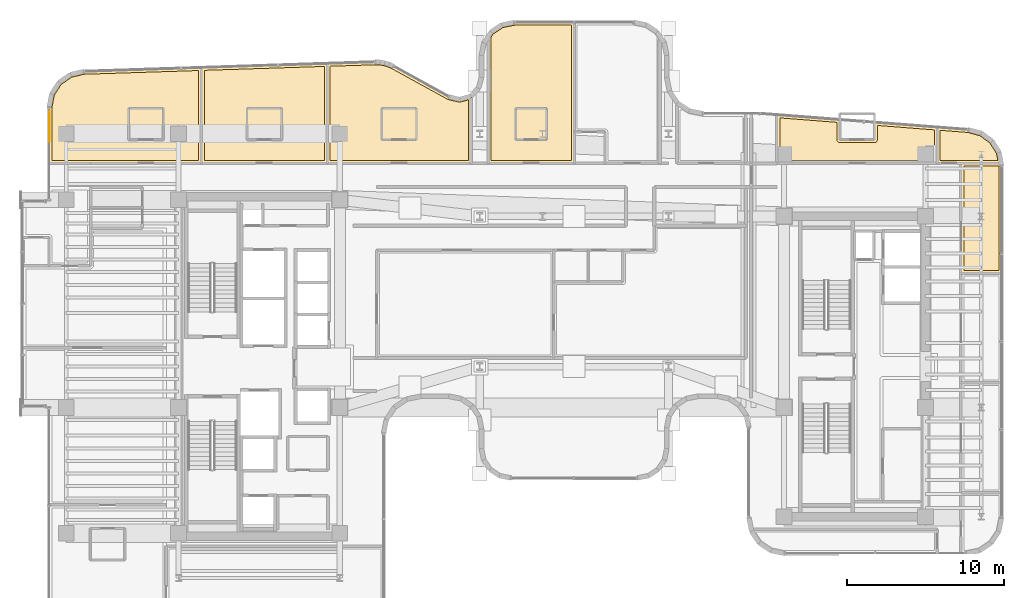
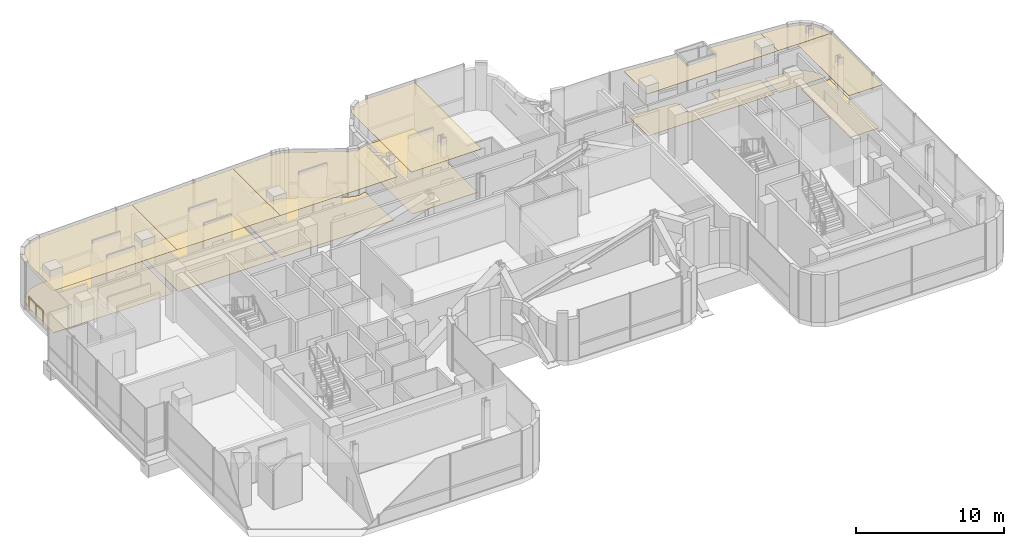
# One storey, part 36 of 37: 14 coverings, 1 railing.
"""IFC4 building model written with IfcOpenShell, lengths in metres."""

from ifc_helpers import new_model, si_unit, direction, frame, origin, origin_2d, place, context, subcontext, project, spatial, polyline, circle, outline, extrude, material, layer, layer_set, type_object, element, save


model = new_model("IFC4")

# Units and contexts
model_context = context("Model", 3, precision=1e-05, world=origin(), true_north=direction((0.0, 1.0)))
body_context = subcontext(model_context, "Body", "Model", "MODEL_VIEW")
ifc_project = project(units=[si_unit("LENGTHUNIT", "METRE"), si_unit("AREAUNIT", "SQUARE_METRE"), si_unit("VOLUMEUNIT", "CUBIC_METRE"), si_unit("PLANEANGLEUNIT", "RADIAN"), si_unit("MASSUNIT", "GRAM", prefix="KILO")], contexts=[model_context])

# Site, building, storey
site_placement = place(None, origin())
site = spatial("IfcSite", under=ifc_project, at=site_placement, CompositionType="ELEMENT")
building_placement = place(site_placement, origin())
building = spatial("IfcBuilding", under=site, at=building_placement, Name="Valdorenza Pilgrim Sanctuary Tower", CompositionType="ELEMENT")
storey_placement = place(building_placement, frame((0.0, 0.0, 172.300048828125)))
storey = spatial("IfcBuildingStorey", under=building, at=storey_placement, Name="L44", CompositionType="ELEMENT", Elevation=172.300048828125)

# Coverings
ifc_material_1 = material(Name="Micro-perforated acoustic mineral ceiling tile", Category="gypsum")
ifc_layer_1 = layer(ifc_material_1, 0.02490234375, Name="Micro-perforated acoustic mineral ceiling tile")
ifc_layer_set_1 = layer_set([ifc_layer_1], Name="Micro-perforated acoustic mineral ceiling tile")
covering_type_1 = type_object("IfcCoveringType", Name="COV-CLG-ACU", PredefinedType="CEILING", material=ifc_layer_set_1)
covering_1_placement = place(storey_placement, frame((0.0, 0.0, 3.6298828125)))
element("IfcCovering", 1, at=covering_1_placement, inside=storey, type_object=covering_type_1, Name="L44 North Guest Room L44-N1 Acoustic Ceiling", PredefinedType="CEILING", context=body_context, shape_type="SweptSolid", body=[
    extrude(outline(polyline([(-30.735595703125, 17.337890625), (-30.735107421875, 17.33935546875), (-30.734619140625, 17.3408203125), (-30.734130859375, 17.342041015625), (-30.7333984375, 17.34326171875), (-30.256591796875, 18.076416015625), (-30.255615234375, 18.077392578125), (-30.254638671875, 18.07861328125), (-30.253662109375, 18.07958984375), (-30.25244140625, 18.08056640625), (-29.535400390625, 18.580810546875), (-29.5341796875, 18.581787109375), (-29.532958984375, 18.58251953125), (-29.531494140625, 18.5830078125), (-29.5302734375, 18.583251953125), (-28.667236328125, 18.780517578125), (-28.665771484375, 18.781005859375), (-28.664306640625, 18.781005859375), (-21.201171875, 19.02392578125), (-21.20068359375, 19.02392578125), (-21.199951171875, 19.02392578125), (-21.198486328125, 19.02392578125), (-21.197021484375, 19.023681640625), (-21.195556640625, 19.0234375), (-21.1943359375, 19.02294921875), (-21.19287109375, 19.022216796875), (-21.191650390625, 19.021484375), (-21.1904296875, 19.0205078125), (-21.189453125, 19.01953125), (-21.1884765625, 19.0185546875), (-21.1875, 19.017333984375), (-21.186767578125, 19.01611328125), (-21.18603515625, 19.0146484375), (-21.185546875, 19.013427734375), (-21.185302734375, 19.011962890625), (-21.18505859375, 19.010498046875), (-21.18505859375, 19.009033203125), (-21.18505859375, 12.919921875), (-21.18505859375, 12.91845703125), (-21.185302734375, 12.9169921875), (-21.185546875, 12.91552734375), (-21.18603515625, 12.914306640625), (-21.186767578125, 12.912841796875), (-21.1875, 12.91162109375), (-21.1884765625, 12.910400390625), (-21.189453125, 12.909423828125), (-21.1904296875, 12.908447265625), (-21.191650390625, 12.907470703125), (-21.19287109375, 12.90673828125), (-21.1943359375, 12.906005859375), (-21.195556640625, 12.905517578125), (-21.197021484375, 12.9052734375), (-21.198486328125, 12.905029296875), (-21.199951171875, 12.905029296875), (-30.889892578125, 12.905029296875), (-30.8916015625, 12.905029296875), (-30.892822265625, 12.9052734375), (-30.894287109375, 12.905517578125), (-30.895751953125, 12.906005859375), (-30.897216796875, 12.90673828125), (-30.898193359375, 12.907470703125), (-30.8994140625, 12.908447265625), (-30.900634765625, 12.909423828125), (-30.901611328125, 12.910400390625), (-30.902587890625, 12.91162109375), (-30.9033203125, 12.912841796875), (-30.90380859375, 12.914306640625), (-30.904296875, 12.91552734375), (-30.90478515625, 12.9169921875), (-30.90478515625, 12.91845703125), (-30.905029296875, 12.919921875), (-30.905029296875, 16.46630859375), (-30.90478515625, 16.4677734375), (-30.90478515625, 16.46923828125), (-30.735595703125, 17.337890625)])), origin(), (0.0, 0.0, 1.0), 0.025146484375),
])
covering_2_placement = place(storey_placement, frame((0.0, 0.0, 3.6298828125)))
element("IfcCovering", 2, at=covering_2_placement, inside=storey, type_object=covering_type_1, Name="L44 North Guest Room L44-N2 Acoustic Ceiling", PredefinedType="CEILING", context=body_context, shape_type="SweptSolid", body=[
    extrude(outline(polyline([(-21.212890625, 19.009033203125), (-21.212890625, 19.009765625), (-21.212890625, 19.01123046875), (-21.21240234375, 19.0126953125), (-21.212158203125, 19.01416015625), (-21.21142578125, 19.015625), (-21.210693359375, 19.016845703125), (-21.2099609375, 19.01806640625), (-21.208984375, 19.019287109375), (-21.2080078125, 19.020263671875), (-21.206787109375, 19.021240234375), (-21.20556640625, 19.02197265625), (-21.2041015625, 19.022705078125), (-21.202880859375, 19.023193359375), (-21.201416015625, 19.023681640625), (-21.199951171875, 19.02392578125), (-21.198486328125, 19.024169921875), (-13.200439453125, 19.284423828125), (-13.198974609375, 19.284423828125), (-13.197509765625, 19.2841796875), (-13.196044921875, 19.283935546875), (-13.194580078125, 19.283447265625), (-13.193115234375, 19.282958984375), (-13.19189453125, 19.281982421875), (-13.190673828125, 19.28125), (-13.189697265625, 19.2802734375), (-13.1884765625, 19.279296875), (-13.1875, 19.278076171875), (-13.186767578125, 19.276611328125), (-13.186279296875, 19.275390625), (-13.185791015625, 19.27392578125), (-13.185302734375, 19.2724609375), (-13.18505859375, 19.27099609375), (-13.18505859375, 19.26953125), (-13.18505859375, 12.919921875), (-13.18505859375, 12.91845703125), (-13.185302734375, 12.9169921875), (-13.185546875, 12.91552734375), (-13.18603515625, 12.914306640625), (-13.186767578125, 12.912841796875), (-13.1875, 12.91162109375), (-13.1884765625, 12.910400390625), (-13.189453125, 12.909423828125), (-13.1904296875, 12.908447265625), (-13.191650390625, 12.907470703125), (-13.19287109375, 12.90673828125), (-13.1943359375, 12.906005859375), (-13.195556640625, 12.905517578125), (-13.197021484375, 12.9052734375), (-13.198486328125, 12.905029296875), (-13.199951171875, 12.905029296875), (-21.197998046875, 12.905029296875), (-21.199462890625, 12.905029296875), (-21.200927734375, 12.9052734375), (-21.202392578125, 12.905517578125), (-21.20361328125, 12.906005859375), (-21.205078125, 12.90673828125), (-21.206298828125, 12.907470703125), (-21.20751953125, 12.908447265625), (-21.20849609375, 12.909423828125), (-21.209716796875, 12.910400390625), (-21.21044921875, 12.91162109375), (-21.211181640625, 12.912841796875), (-21.2119140625, 12.914306640625), (-21.21240234375, 12.91552734375), (-21.212646484375, 12.9169921875), (-21.212890625, 12.91845703125), (-21.212890625, 12.919921875), (-21.212890625, 19.009033203125), (-21.212890625, 19.009033203125)])), origin(), (0.0, 0.0, 1.0), 0.025146484375),
])
covering_3_placement = place(storey_placement, frame((0.0, 0.0, 3.6298828125)))
element("IfcCovering", 3, at=covering_3_placement, inside=storey, type_object=covering_type_1, Name="L44 North Guest Room L44-N3 Acoustic Ceiling", PredefinedType="CEILING", context=body_context, shape_type="SweptSolid", body=[
    extrude(outline(polyline([(-13.212890625, 19.26953125), (-13.212890625, 19.270263671875), (-13.212890625, 19.271728515625), (-13.21240234375, 19.273193359375), (-13.212158203125, 19.274658203125), (-13.21142578125, 19.27587890625), (-13.210693359375, 19.27734375), (-13.2099609375, 19.278564453125), (-13.208984375, 19.27978515625), (-13.2080078125, 19.28076171875), (-13.206787109375, 19.28173828125), (-13.20556640625, 19.282470703125), (-13.204345703125, 19.283203125), (-13.202880859375, 19.28369140625), (-13.201416015625, 19.2841796875), (-13.199951171875, 19.284423828125), (-13.198486328125, 19.28466796875), (-10.15966796875, 19.383544921875), (-10.1591796875, 19.383544921875), (-10.156982421875, 19.383544921875), (-10.156494140625, 19.383544921875), (-9.84765625, 19.372802734375), (-9.845703125, 19.37255859375), (-9.5439453125, 19.3212890625), (-9.5419921875, 19.32080078125), (-9.24951171875, 19.229736328125), (-9.24755859375, 19.22900390625), (-8.966552734375, 19.09814453125), (-8.9658203125, 19.097900390625), (-5.477294921875, 17.178955078125), (-5.469482421875, 17.17529296875), (-5.4619140625, 17.172119140625), (-5.453857421875, 17.169921875), (-4.80615234375, 17.0087890625), (-4.796142578125, 17.0068359375), (-4.786376953125, 17.006103515625), (-4.776611328125, 17.006103515625), (-4.7666015625, 17.00732421875), (-4.756591796875, 17.009765625), (-4.114501953125, 17.19091796875), (-4.104736328125, 17.194091796875), (-4.095947265625, 17.197998046875), (-4.08740234375, 17.203125), (-4.07958984375, 17.208984375), (-4.072021484375, 17.2158203125), (-4.060791015625, 17.227294921875), (-4.0595703125, 17.228271484375), (-4.058349609375, 17.229248046875), (-4.05712890625, 17.22998046875), (-4.055908203125, 17.230712890625), (-4.054443359375, 17.231201171875), (-4.052978515625, 17.2314453125), (-4.051513671875, 17.231689453125), (-4.050048828125, 17.231689453125), (-4.048583984375, 17.231689453125), (-4.047119140625, 17.2314453125), (-4.045654296875, 17.231201171875), (-4.044189453125, 17.230712890625), (-4.04296875, 17.22998046875), (-4.041748046875, 17.229248046875), (-4.04052734375, 17.228515625), (-4.039306640625, 17.2275390625), (-4.038330078125, 17.226318359375), (-4.03759765625, 17.22509765625), (-4.036865234375, 17.223876953125), (-4.0361328125, 17.22265625), (-4.03564453125, 17.22119140625), (-4.035400390625, 17.2197265625), (-4.03515625, 17.21826171875), (-4.034912109375, 17.216796875), (-4.034912109375, 12.919921875), (-4.03515625, 12.91845703125), (-4.035400390625, 12.9169921875), (-4.03564453125, 12.91552734375), (-4.0361328125, 12.914306640625), (-4.036865234375, 12.912841796875), (-4.03759765625, 12.91162109375), (-4.038330078125, 12.910400390625), (-4.039306640625, 12.909423828125), (-4.04052734375, 12.908447265625), (-4.041748046875, 12.907470703125), (-4.04296875, 12.90673828125), (-4.044189453125, 12.906005859375), (-4.045654296875, 12.905517578125), (-4.047119140625, 12.9052734375), (-4.048583984375, 12.905029296875), (-4.050048828125, 12.905029296875), (-13.197998046875, 12.905029296875), (-13.199462890625, 12.905029296875), (-13.200927734375, 12.9052734375), (-13.202392578125, 12.905517578125), (-13.20361328125, 12.906005859375), (-13.205078125, 12.90673828125), (-13.206298828125, 12.907470703125), (-13.20751953125, 12.908447265625), (-13.20849609375, 12.909423828125), (-13.209716796875, 12.910400390625), (-13.21044921875, 12.91162109375), (-13.211181640625, 12.912841796875), (-13.2119140625, 12.914306640625), (-13.21240234375, 12.91552734375), (-13.212646484375, 12.9169921875), (-13.212890625, 12.91845703125), (-13.212890625, 12.919921875), (-13.212890625, 19.26953125), (-13.212890625, 19.26953125)])), origin(), (0.0, 0.0, 1.0), 0.025146484375),
])
covering_4_placement = place(storey_placement, frame((0.0, 0.0, 3.6298828125)))
element("IfcCovering", 4, at=covering_4_placement, inside=storey, type_object=covering_type_1, Name="L44 North Guest Room L44-N4 Acoustic Ceiling", PredefinedType="CEILING", context=body_context, shape_type="SweptSolid", body=[
    extrude(outline(polyline([(-2.78759765625, 21.283447265625), (-2.786865234375, 21.28466796875), (-2.785888671875, 21.285888671875), (-2.78466796875, 21.286865234375), (-2.783447265625, 21.28759765625), (-2.104736328125, 21.7412109375), (-2.103515625, 21.74169921875), (-2.102294921875, 21.742431640625), (-2.100830078125, 21.742919921875), (-2.099365234375, 21.743408203125), (-1.2880859375, 21.90478515625), (-1.28662109375, 21.90478515625), (-1.28515625, 21.905029296875), (2.5, 21.905029296875), (2.50146484375, 21.90478515625), (2.5029296875, 21.90478515625), (2.50439453125, 21.904296875), (2.505615234375, 21.90380859375), (2.507080078125, 21.9033203125), (2.50830078125, 21.902587890625), (2.509521484375, 21.901611328125), (2.510498046875, 21.900634765625), (2.51171875, 21.8994140625), (2.512451171875, 21.898193359375), (2.51318359375, 21.897216796875), (2.513916015625, 21.895751953125), (2.514404296875, 21.894287109375), (2.5146484375, 21.892822265625), (2.514892578125, 21.8916015625), (2.514892578125, 21.889892578125), (2.514892578125, 12.919921875), (2.514892578125, 12.91845703125), (2.5146484375, 12.9169921875), (2.514404296875, 12.91552734375), (2.513916015625, 12.914306640625), (2.51318359375, 12.912841796875), (2.512451171875, 12.91162109375), (2.51171875, 12.910400390625), (2.510498046875, 12.909423828125), (2.509521484375, 12.908447265625), (2.50830078125, 12.907470703125), (2.507080078125, 12.90673828125), (2.505615234375, 12.906005859375), (2.50439453125, 12.905517578125), (2.5029296875, 12.9052734375), (2.50146484375, 12.905029296875), (2.5, 12.905029296875), (-2.949951171875, 12.905029296875), (-2.951416015625, 12.905029296875), (-2.952880859375, 12.9052734375), (-2.954345703125, 12.905517578125), (-2.955810546875, 12.906005859375), (-2.95703125, 12.90673828125), (-2.958251953125, 12.907470703125), (-2.95947265625, 12.908447265625), (-2.960693359375, 12.909423828125), (-2.961669921875, 12.910400390625), (-2.96240234375, 12.91162109375), (-2.963134765625, 12.912841796875), (-2.9638671875, 12.914306640625), (-2.96435546875, 12.91552734375), (-2.964599609375, 12.9169921875), (-2.96484375, 12.91845703125), (-2.965087890625, 12.919921875), (-2.965087890625, 21.013427734375), (-2.96484375, 21.014892578125), (-2.964599609375, 21.016357421875), (-2.96435546875, 21.017822265625), (-2.9638671875, 21.019287109375), (-2.963134765625, 21.0205078125), (-2.96240234375, 21.021728515625), (-2.78759765625, 21.283447265625)])), origin(), (0.0, 0.0, 1.0), 0.025146484375),
])
covering_5_placement = place(storey_placement, frame((0.0, 0.0, 3.6298828125)))
element("IfcCovering", 5, at=covering_5_placement, inside=storey, type_object=covering_type_1, Name="L44 East North Guest Room L44-EN1 Acoustic Ceiling", PredefinedType="CEILING", context=body_context, shape_type="SweptSolid", body=[
    extrude(outline(polyline([(15.39990234375, 12.905029296875), (15.3984375, 12.905029296875), (15.397216796875, 12.9052734375), (15.3955078125, 12.905517578125), (15.394287109375, 12.906005859375), (15.392822265625, 12.90673828125), (15.3916015625, 12.907470703125), (15.390380859375, 12.908447265625), (15.389404296875, 12.909423828125), (15.388427734375, 12.910400390625), (15.387451171875, 12.91162109375), (15.38671875, 12.912841796875), (15.385986328125, 12.914306640625), (15.385498046875, 12.91552734375), (15.38525390625, 12.9169921875), (15.385009765625, 12.91845703125), (15.385009765625, 12.919921875), (15.385009765625, 16.00439453125), (15.385009765625, 16.006103515625), (15.38525390625, 16.00732421875), (15.385498046875, 16.0087890625), (15.385986328125, 16.01025390625), (15.38671875, 16.01171875), (15.387451171875, 16.0126953125), (15.388427734375, 16.013916015625), (15.389404296875, 16.01513671875), (15.390380859375, 16.01611328125), (15.3916015625, 16.01708984375), (15.392822265625, 16.017578125), (15.394287109375, 16.018310546875), (15.3955078125, 16.018798828125), (15.397216796875, 16.019287109375), (15.3984375, 16.019287109375), (15.39990234375, 16.01953125), (15.400146484375, 16.01953125), (15.4013671875, 16.01953125), (19.399169921875, 15.7099609375), (19.400634765625, 15.709716796875), (19.402099609375, 15.70947265625), (19.403564453125, 15.708984375), (19.40478515625, 15.708251953125), (19.40625, 15.70751953125), (19.407470703125, 15.706787109375), (19.408447265625, 15.705810546875), (19.409423828125, 15.70458984375), (19.410400390625, 15.703369140625), (19.4111328125, 15.7021484375), (19.411865234375, 15.70068359375), (19.412353515625, 15.699462890625), (19.41259765625, 15.697998046875), (19.412841796875, 15.696533203125), (19.4130859375, 15.695068359375), (19.4130859375, 14.43310546875), (21.5869140625, 14.43310546875), (21.5869140625, 15.5244140625), (21.587158203125, 15.52587890625), (21.58740234375, 15.52734375), (21.587646484375, 15.52880859375), (21.588134765625, 15.530029296875), (21.588623046875, 15.531494140625), (21.589599609375, 15.53271484375), (21.59033203125, 15.53369140625), (21.59130859375, 15.534912109375), (21.59228515625, 15.535888671875), (21.593505859375, 15.53662109375), (21.5947265625, 15.53759765625), (21.59619140625, 15.5380859375), (21.597412109375, 15.538818359375), (21.598876953125, 15.5390625), (21.600341796875, 15.539306640625), (21.601806640625, 15.539306640625), (21.603271484375, 15.539306640625), (25.601318359375, 15.229736328125), (25.6025390625, 15.2294921875), (25.60400390625, 15.229248046875), (25.60546875, 15.228759765625), (25.60693359375, 15.228271484375), (25.608154296875, 15.2275390625), (25.609375, 15.2265625), (25.610595703125, 15.2255859375), (25.611572265625, 15.224609375), (25.6123046875, 15.223388671875), (25.61328125, 15.221923828125), (25.61376953125, 15.220703125), (25.6142578125, 15.21923828125), (25.61474609375, 15.2177734375), (25.614990234375, 15.21630859375), (25.614990234375, 15.21484375), (25.614990234375, 12.919921875), (25.614990234375, 12.91845703125), (25.61474609375, 12.9169921875), (25.614501953125, 12.91552734375), (25.614013671875, 12.914306640625), (25.61328125, 12.912841796875), (25.612548828125, 12.91162109375), (25.611572265625, 12.910400390625), (25.610595703125, 12.909423828125), (25.609619140625, 12.908447265625), (25.6083984375, 12.907470703125), (25.607177734375, 12.90673828125), (25.605712890625, 12.906005859375), (25.6044921875, 12.905517578125), (25.602783203125, 12.9052734375), (25.6015625, 12.905029296875), (25.60009765625, 12.905029296875), (15.39990234375, 12.905029296875)])), origin(), (0.0, 0.0, 1.0), 0.025146484375),
])
covering_6_placement = place(storey_placement, frame((0.0, 0.0, 3.6298828125)))
element("IfcCovering", 6, at=covering_6_placement, inside=storey, type_object=covering_type_1, Name="L44 East Wing Reference Library L44-BNE Acoustic Ceiling", PredefinedType="CEILING", context=body_context, shape_type="SweptSolid", body=[
    extrude(outline(polyline([(27.567626953125, 15.07763671875), (27.569091796875, 15.077392578125), (27.570556640625, 15.0771484375), (28.400390625, 14.852783203125), (28.40185546875, 14.852294921875), (28.403076171875, 14.851806640625), (28.404296875, 14.85107421875), (28.405517578125, 14.850341796875), (29.088134765625, 14.344970703125), (29.089111328125, 14.343994140625), (29.090087890625, 14.343017578125), (29.091064453125, 14.342041015625), (29.091796875, 14.3408203125), (29.543212890625, 13.62109375), (29.543701171875, 13.6201171875), (29.544189453125, 13.61865234375), (29.544921875, 13.617431640625), (29.545166015625, 13.615966796875), (29.676025390625, 12.9228515625), (29.67626953125, 12.92138671875), (29.67626953125, 12.919921875), (29.67626953125, 12.91845703125), (29.676025390625, 12.9169921875), (29.67578125, 12.91552734375), (29.67529296875, 12.914306640625), (29.674560546875, 12.912841796875), (29.673828125, 12.91162109375), (29.6728515625, 12.910400390625), (29.671875, 12.9091796875), (29.6708984375, 12.908447265625), (29.669677734375, 12.907470703125), (29.66845703125, 12.90673828125), (29.6669921875, 12.906005859375), (29.665771484375, 12.905517578125), (29.664306640625, 12.9052734375), (29.662841796875, 12.905029296875), (29.661376953125, 12.905029296875), (25.60205078125, 12.905029296875), (25.6005859375, 12.905029296875), (25.59912109375, 12.9052734375), (25.59765625, 12.905517578125), (25.59619140625, 12.906005859375), (25.594970703125, 12.90673828125), (25.59375, 12.907470703125), (25.592529296875, 12.908447265625), (25.59130859375, 12.909423828125), (25.59033203125, 12.910400390625), (25.589599609375, 12.91162109375), (25.5888671875, 12.912841796875), (25.588134765625, 12.914306640625), (25.587646484375, 12.91552734375), (25.58740234375, 12.9169921875), (25.587158203125, 12.91845703125), (25.5869140625, 12.919921875), (25.5869140625, 15.214599609375), (25.587158203125, 15.21630859375), (25.58740234375, 15.217529296875), (25.587646484375, 15.218994140625), (25.588134765625, 15.220458984375), (25.588623046875, 15.2216796875), (25.589599609375, 15.222900390625), (25.59033203125, 15.22412109375), (25.59130859375, 15.22509765625), (25.59228515625, 15.226318359375), (25.593505859375, 15.22705078125), (25.5947265625, 15.227783203125), (25.59619140625, 15.228515625), (25.597412109375, 15.22900390625), (25.598876953125, 15.2294921875), (25.600341796875, 15.2294921875), (25.601806640625, 15.229736328125), (25.603271484375, 15.229736328125), (27.567626953125, 15.07763671875)])), origin(), (0.0, 0.0, 1.0), 0.025146484375),
])
covering_7_placement = place(storey_placement, frame((0.0, 0.0, 3.6298828125)))
element("IfcCovering", 7, at=covering_7_placement, inside=storey, type_object=covering_type_1, Name="L44 East Reading Lounge L44-EB4 Acoustic Ceiling", PredefinedType="CEILING", context=body_context, shape_type="SweptSolid", body=[
    extrude(outline(polyline([(27.0849609375, 12.91796875), (27.085205078125, 12.91943359375), (27.085205078125, 12.9208984375), (27.085693359375, 12.92236328125), (27.086181640625, 12.923583984375), (27.0869140625, 12.925048828125), (27.08740234375, 12.92626953125), (27.08837890625, 12.927490234375), (27.08935546875, 12.9287109375), (27.090576171875, 12.9296875), (27.091796875, 12.930419921875), (27.093017578125, 12.93115234375), (27.09423828125, 12.931884765625), (27.095703125, 12.932373046875), (27.09716796875, 12.9326171875), (27.098388671875, 12.932861328125), (27.10009765625, 12.93310546875), (29.660888671875, 12.93310546875), (29.660888671875, 12.93310546875), (29.662353515625, 12.93310546875), (29.663818359375, 12.932861328125), (29.665283203125, 12.9326171875), (29.66650390625, 12.93212890625), (29.66796875, 12.931640625), (29.669189453125, 12.930908203125), (29.67041015625, 12.930419921875), (29.67138671875, 12.929443359375), (29.672607421875, 12.928466796875), (29.673583984375, 12.92724609375), (29.67431640625, 12.926025390625), (29.675048828125, 12.9248046875), (29.67578125, 12.923583984375), (29.676025390625, 12.922119140625), (29.676513671875, 12.9208984375), (29.70458984375, 12.77099609375), (29.704833984375, 12.769775390625), (29.705078125, 12.768310546875), (29.705078125, 5.94189453125), (29.704833984375, 5.9404296875), (29.70458984375, 5.939208984375), (29.704345703125, 5.9375), (29.703857421875, 5.936279296875), (29.703125, 5.934814453125), (29.702392578125, 5.93359375), (29.70166015625, 5.9326171875), (29.70068359375, 5.931396484375), (29.699462890625, 5.930419921875), (29.6982421875, 5.929443359375), (29.697021484375, 5.9287109375), (29.69580078125, 5.927978515625), (29.6943359375, 5.927490234375), (29.69287109375, 5.92724609375), (29.69140625, 5.927001953125), (29.68994140625, 5.927001953125), (27.10009765625, 5.927001953125), (27.098388671875, 5.927001953125), (27.09716796875, 5.92724609375), (27.095703125, 5.927490234375), (27.09423828125, 5.927978515625), (27.093017578125, 5.9287109375), (27.091796875, 5.929443359375), (27.090576171875, 5.930419921875), (27.08935546875, 5.931396484375), (27.08837890625, 5.9326171875), (27.08740234375, 5.93359375), (27.0869140625, 5.934814453125), (27.086181640625, 5.936279296875), (27.085693359375, 5.9375), (27.085205078125, 5.939208984375), (27.085205078125, 5.9404296875), (27.0849609375, 5.94189453125), (27.0849609375, 12.91796875)])), origin(), (0.0, 0.0, 1.0), 0.025146484375),
])
ifc_material_2 = material(Name="Engineered European oak timber flooring", Category="wood")
ifc_layer_2 = layer(ifc_material_2, 0.02197265625, Name="Engineered European oak timber flooring")
ifc_layer_set_2 = layer_set([ifc_layer_2], Name="Engineered European oak timber flooring")
covering_type_2 = type_object("IfcCoveringType", Name="COV-FLR-OAK", PredefinedType="FLOORING", material=ifc_layer_set_2)
covering_8_placement = place(storey_placement, origin())
element("IfcCovering", 8, at=covering_8_placement, inside=storey, type_object=covering_type_2, Name="L44 North Guest Room L44-N1 Flooring", PredefinedType="FLOORING", context=body_context, shape_type="SweptSolid", body=[
    extrude(outline(polyline([(-30.55078125, 17.266357421875), (-30.112060546875, 17.940673828125), (-29.45263671875, 18.40087890625), (-28.640625, 18.586669921875), (-21.380615234375, 18.822998046875), (-21.3798828125, 13.10009765625), (-30.7099609375, 13.10009765625), (-30.7099609375, 16.448974609375), (-30.55078125, 17.266357421875)])), origin(), (0.0, 0.0, 1.0), 0.02490234375),
])
covering_9_placement = place(storey_placement, origin())
element("IfcCovering", 9, at=covering_9_placement, inside=storey, type_object=covering_type_2, Name="L44 North Guest Room L44-N2 Flooring", PredefinedType="FLOORING", context=body_context, shape_type="SweptSolid", body=[
    extrude(outline(polyline([(-13.3798828125, 19.08349609375), (-13.3798828125, 13.10009765625), (-21.01806640625, 13.10009765625), (-21.01806640625, 18.834716796875), (-13.3798828125, 19.08349609375)])), origin(), (0.0, 0.0, 1.0), 0.02490234375),
])
covering_10_placement = place(storey_placement, origin())
element("IfcCovering", 10, at=covering_10_placement, inside=storey, type_object=covering_type_2, Name="L44 North Guest Room L44-N3 Flooring", PredefinedType="FLOORING", context=body_context, shape_type="SweptSolid", body=[
    extrude(outline(polyline([(-10.158203125, 19.1884765625), (-9.866455078125, 19.17822265625), (-9.58837890625, 19.131103515625), (-9.319091796875, 19.047119140625), (-9.054443359375, 18.924072265625), (-5.571044921875, 17.008056640625), (-5.564208984375, 17.00439453125), (-5.555419921875, 17.000244140625), (-5.541259765625, 16.993896484375), (-5.532470703125, 16.990478515625), (-5.517822265625, 16.9853515625), (-5.508544921875, 16.982666015625), (-5.501220703125, 16.980712890625), (-4.852783203125, 16.819580078125), (-4.84375, 16.8173828125), (-4.83251953125, 16.8154296875), (-4.814208984375, 16.812744140625), (-4.802734375, 16.811767578125), (-4.7841796875, 16.81103515625), (-4.772705078125, 16.811279296875), (-4.754150390625, 16.8125), (-4.74267578125, 16.81396484375), (-4.724365234375, 16.817138671875), (-4.713134765625, 16.819580078125), (-4.7041015625, 16.822021484375), (-4.22998046875, 16.95556640625), (-4.22998046875, 13.10009765625), (-13.01806640625, 13.10009765625), (-13.01806640625, 19.09521484375), (-10.158203125, 19.1884765625)])), origin(), (0.0, 0.0, 1.0), 0.02490234375),
])
covering_11_placement = place(storey_placement, origin())
element("IfcCovering", 11, at=covering_11_placement, inside=storey, type_object=covering_type_2, Name="L44 North Guest Room L44-N4 Flooring", PredefinedType="FLOORING", context=body_context, shape_type="SweptSolid", body=[
    extrude(outline(polyline([(-2.6455078125, 21.1455078125), (-2.0263671875, 21.55908203125), (-1.267333984375, 21.7099609375), (2.320068359375, 21.7099609375), (2.320068359375, 13.10009765625), (-2.77001953125, 13.10009765625), (-2.77001953125, 20.958984375), (-2.6455078125, 21.1455078125)])), origin(), (0.0, 0.0, 1.0), 0.02490234375),
])
covering_12_placement = place(storey_placement, origin())
element("IfcCovering", 12, at=covering_12_placement, inside=storey, type_object=covering_type_2, Name="L44 East North Guest Room L44-EN1 Flooring", PredefinedType="FLOORING", context=body_context, shape_type="SweptSolid", body=[
    extrude(outline(polyline([(15.580078125, 13.10009765625), (15.580078125, 15.81005859375), (19.218017578125, 15.5283203125), (19.218017578125, 14.419921875), (19.21826171875, 14.4111328125), (19.21826171875, 14.410888671875), (19.219970703125, 14.393310546875), (19.219970703125, 14.393310546875), (19.223388671875, 14.3759765625), (19.223388671875, 14.375732421875), (19.228515625, 14.35888671875), (19.228759765625, 14.358642578125), (19.2353515625, 14.34228515625), (19.235595703125, 14.342041015625), (19.243896484375, 14.326416015625), (19.243896484375, 14.326416015625), (19.25390625, 14.311767578125), (19.25390625, 14.3115234375), (19.26513671875, 14.2978515625), (19.26513671875, 14.297607421875), (19.277587890625, 14.28515625), (19.27783203125, 14.28515625), (19.29150390625, 14.27392578125), (19.291748046875, 14.273681640625), (19.306396484375, 14.263916015625), (19.306396484375, 14.263916015625), (19.322021484375, 14.255615234375), (19.322265625, 14.25537109375), (19.338623046875, 14.248779296875), (19.3388671875, 14.24853515625), (19.355712890625, 14.243408203125), (19.35595703125, 14.243408203125), (19.373291015625, 14.239990234375), (19.373291015625, 14.239990234375), (19.39111328125, 14.23828125), (19.39111328125, 14.23828125), (19.39990234375, 14.238037109375), (21.60009765625, 14.238037109375), (21.60888671875, 14.23828125), (21.60888671875, 14.23828125), (21.626708984375, 14.239990234375), (21.626708984375, 14.239990234375), (21.64404296875, 14.243408203125), (21.644287109375, 14.243408203125), (21.6611328125, 14.24853515625), (21.661376953125, 14.248779296875), (21.677734375, 14.25537109375), (21.677978515625, 14.255615234375), (21.693603515625, 14.263916015625), (21.693603515625, 14.263916015625), (21.708251953125, 14.273681640625), (21.70849609375, 14.27392578125), (21.72216796875, 14.28515625), (21.722412109375, 14.28515625), (21.73486328125, 14.297607421875), (21.73486328125, 14.2978515625), (21.74609375, 14.3115234375), (21.74609375, 14.311767578125), (21.756103515625, 14.326416015625), (21.756103515625, 14.326416015625), (21.764404296875, 14.342041015625), (21.7646484375, 14.34228515625), (21.771240234375, 14.358642578125), (21.771484375, 14.35888671875), (21.776611328125, 14.375732421875), (21.776611328125, 14.3759765625), (21.780029296875, 14.393310546875), (21.780029296875, 14.393310546875), (21.78173828125, 14.410888671875), (21.78173828125, 14.4111328125), (21.781982421875, 14.419921875), (21.781982421875, 15.329833984375), (25.419921875, 15.04833984375), (25.419921875, 13.10009765625), (15.580078125, 13.10009765625)])), origin(), (0.0, 0.0, 1.0), 0.02490234375),
])
ifc_material_3 = material(Name="Honed travertine stone flooring", Category="masonry")
ifc_layer_3 = layer(ifc_material_3, 0.030029296875, Name="Honed travertine stone flooring")
ifc_layer_set_3 = layer_set([ifc_layer_3], Name="Honed travertine stone flooring")
covering_type_3 = type_object("IfcCoveringType", Name="COV-FLR-TRV", PredefinedType="FLOORING", material=ifc_layer_set_3)
covering_13_placement = place(storey_placement, origin())
element("IfcCovering", 13, at=covering_13_placement, inside=storey, type_object=covering_type_3, Name="L44 East Wing Reference Library L44-BNE Flooring", PredefinedType="FLOORING", context=body_context, shape_type="SweptSolid", body=[
    extrude(outline(polyline([(27.535888671875, 14.884521484375), (28.31689453125, 14.67333984375), (28.944580078125, 14.20849609375), (29.35986328125, 13.54638671875), (29.444091796875, 13.10009765625), (25.781982421875, 13.10009765625), (25.781982421875, 15.020263671875), (27.535888671875, 14.884521484375)])), origin(), (0.0, 0.0, 1.0), 0.02490234375),
])
covering_14_placement = place(storey_placement, origin())
element("IfcCovering", 14, at=covering_14_placement, inside=storey, type_object=covering_type_3, Name="L44 East Reading Lounge L44-EB4 Flooring", PredefinedType="FLOORING", context=body_context, shape_type="SweptSolid", body=[
    extrude(outline(polyline([(27.280029296875, 12.738037109375), (29.510009765625, 12.738037109375), (29.510009765625, 6.1220703125), (27.280029296875, 6.1220703125), (27.280029296875, 12.738037109375)])), origin(), (0.0, 0.0, 1.0), 0.02490234375),
])

# Railing
ifc_material_4 = material(Name="Stainless steel Grade 316", Category="steel")
railing_type = type_object("IfcRailingType", Name="RLG-GRD-1120", PredefinedType="GUARDRAIL", material=ifc_material_4)
railing_placement = place(storey_placement, frame((-30.860107421875, 14.300048828125, 0.0)))
element("IfcRailing", 15, at=railing_placement, inside=storey, type_object=railing_type, Name="L44 NW Tangent Safety Sill Guard", PredefinedType="GUARDRAIL", context=body_context, shape_type="SweptSolid", body=[
    extrude(circle(Radius=0.02392578125, at=origin_2d()), frame((0.0, 0.0, 1.17578125), z_axis=(0.0, 1.0, 0.0), x_axis=(-1.0, 0.0, 0.0)), (0.0, 0.0, 1.0), 1.89990234375),
    extrude(circle(Radius=0.02099609375, at=origin_2d()), origin(), (0.0, 0.0, 1.0), 1.15185546875),
    extrude(circle(Radius=0.02099609375, at=origin_2d()), frame((0.0, 0.949951171875, 0.0)), (0.0, 0.0, 1.0), 1.15185546875),
    extrude(circle(Radius=0.02099609375, at=origin_2d()), frame((0.0, 1.89990234375, 0.0)), (0.0, 0.0, 1.0), 1.15185546875),
])

save(model, "model.ifc")
